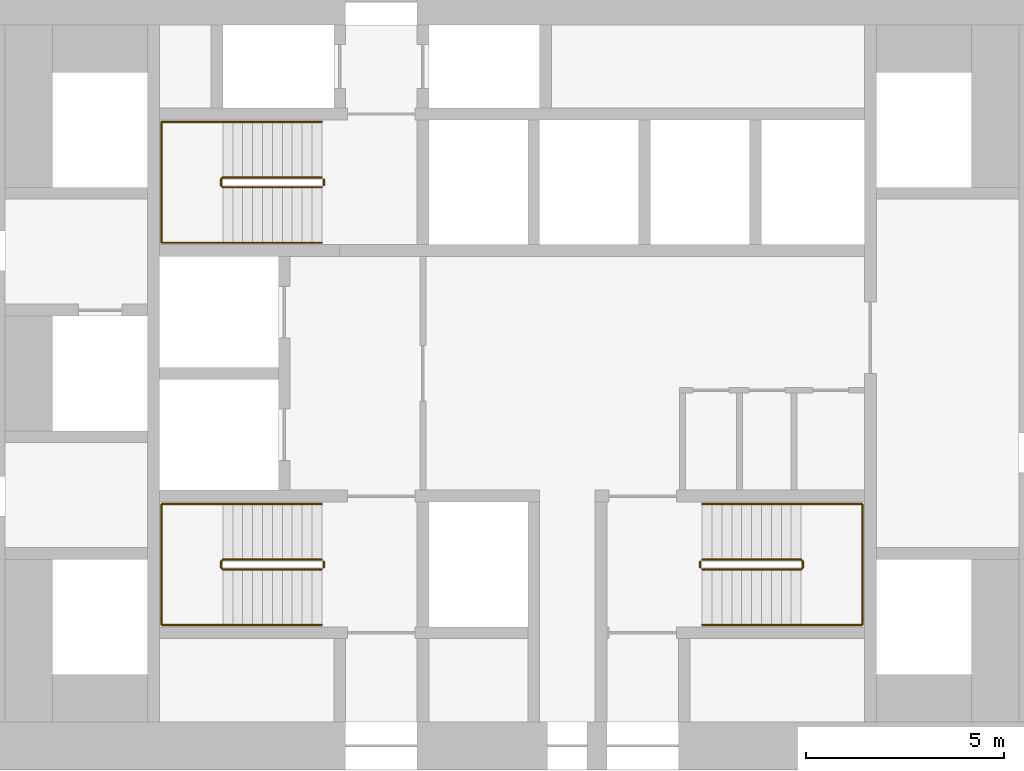
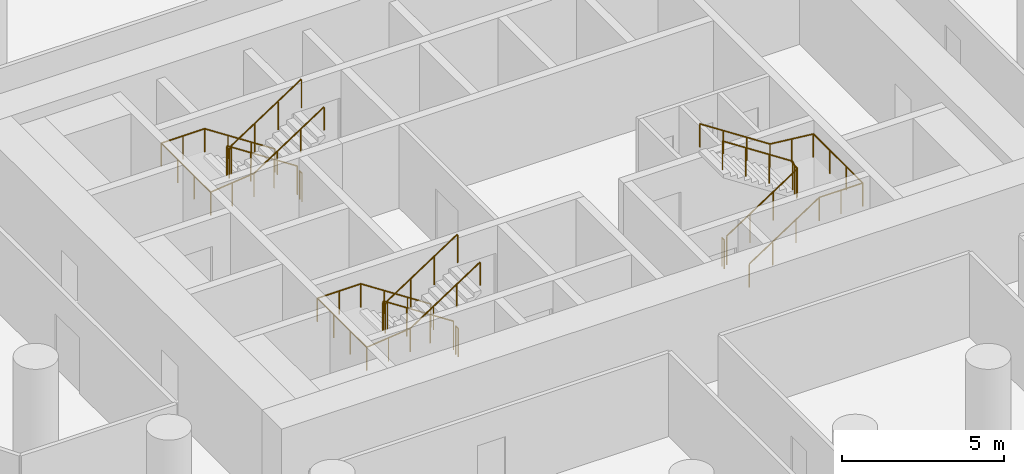
# One storey, part 12 of 12: 9 railings.
"""IFC4 building model written with IfcOpenShell, lengths in metres."""

from ifc_helpers import new_model, si_unit, direction, frame, origin, origin_2d, place, context, subcontext, project, spatial, circle, extrude, material, type_object, element, save


model = new_model("IFC4")

# Units and contexts
model_context = context("Model", 3, precision=1e-05, world=origin(), true_north=direction((0.0, 1.0)))
body_context = subcontext(model_context, "Body", "Model", "MODEL_VIEW")
ifc_project = project(units=[si_unit("LENGTHUNIT", "METRE"), si_unit("AREAUNIT", "SQUARE_METRE"), si_unit("VOLUMEUNIT", "CUBIC_METRE"), si_unit("PLANEANGLEUNIT", "RADIAN"), si_unit("MASSUNIT", "GRAM", prefix="KILO")], contexts=[model_context])

# Site, building, storey
site_placement = place(None, origin())
site = spatial("IfcSite", under=ifc_project, at=site_placement, CompositionType="ELEMENT")
building_placement = place(site_placement, origin())
building = spatial("IfcBuilding", under=site, at=building_placement, Name="Tracery Tower", CompositionType="ELEMENT")
storey_placement = place(building_placement, frame((0.0, 0.0, 75.0)))
storey = spatial("IfcBuildingStorey", under=building, at=storey_placement, Name="L18", CompositionType="ELEMENT", Elevation=75.0)

# Railings
ifc_material_1 = material(Name="Stainless steel and laminated glass", Category="steel")
railing_type_1 = type_object("IfcRailingType", Name="Stair guard 1100", PredefinedType="GUARDRAIL", material=ifc_material_1)
railing_1_placement = place(storey_placement, frame((-4.800048828125, -4.699951171875, 0.16357421875)))
element("IfcRailing", 1, at=railing_1_placement, inside=storey, type_object=railing_type_1, Name="L18 stair ST1 guard 1", PredefinedType="GUARDRAIL", context=body_context, shape_type="SweptSolid", body=[
    extrude(circle(Radius=0.02392578125, at=origin_2d()), frame((0.0, 0.0, 1.076171875), z_axis=(-0.83668449804, 0.0, 0.54768517484), x_axis=(0.0, -1.0, 0.0)), (0.0, 0.0, 1.0), 2.988037109375),
    extrude(circle(Radius=0.02392578125, at=origin_2d()), frame((-2.5, 0.0, 2.71240234375), z_axis=(-0.707106781187, -0.707106781187, 0.0), x_axis=(0.707106781187, -0.707106781187, 0.0)), (0.0, 0.0, 1.0), 0.07080078125),
    extrude(circle(Radius=0.02392578125, at=origin_2d()), frame((-2.550048828125, -0.050048828125, 2.71240234375), z_axis=(0.0, -1.0, 0.0), x_axis=(1.0, 0.0, 0.0)), (0.0, 0.0, 1.0), 0.14990234375),
    extrude(circle(Radius=0.02392578125, at=origin_2d()), frame((-2.550048828125, -0.199951171875, 2.71240234375), z_axis=(0.280808744504, -0.280808744504, 0.917765164963), x_axis=(0.707106781187, 0.707106781187, 0.0)), (0.0, 0.0, 1.0), 0.17822265625),
    extrude(circle(Radius=0.02392578125, at=origin_2d()), frame((-2.5, -0.25, 2.8759765625), z_axis=(0.83668449804, 0.0, 0.54768517484), x_axis=(0.0, 1.0, 0.0)), (0.0, 0.0, 1.0), 2.988037109375),
    extrude(circle(Radius=0.02099609375, at=origin_2d()), origin(), (0.0, 0.0, 1.0), 1.052001953125),
    extrude(circle(Radius=0.02099609375, at=origin_2d()), frame((-0.833251953125, 0.0, 0.54541015625)), (0.0, 0.0, 1.0), 1.052001953125),
    extrude(circle(Radius=0.02099609375, at=origin_2d()), frame((-1.666748046875, 0.0, 1.091064453125)), (0.0, 0.0, 1.0), 1.052001953125),
    extrude(circle(Radius=0.02099609375, at=origin_2d()), frame((-2.5, 0.0, 1.636474609375)), (0.0, 0.0, 1.0), 1.052001953125),
    extrude(circle(Radius=0.02099609375, at=origin_2d()), frame((-2.550048828125, -0.050048828125, 1.636474609375)), (0.0, 0.0, 1.0), 1.052001953125),
    extrude(circle(Radius=0.02099609375, at=origin_2d()), frame((-2.550048828125, -0.199951171875, 1.636474609375)), (0.0, 0.0, 1.0), 1.052001953125),
    extrude(circle(Radius=0.02099609375, at=origin_2d()), frame((-2.5, -0.25, 1.800048828125)), (0.0, 0.0, 1.0), 1.052001953125),
    extrude(circle(Radius=0.02099609375, at=origin_2d()), frame((-1.666748046875, -0.25, 2.345458984375)), (0.0, 0.0, 1.0), 1.052001953125),
    extrude(circle(Radius=0.02099609375, at=origin_2d()), frame((-0.833251953125, -0.25, 2.89111328125)), (0.0, 0.0, 1.0), 1.052001953125),
    extrude(circle(Radius=0.02099609375, at=origin_2d()), frame((0.0, -0.25, 3.4365234375)), (0.0, 0.0, 1.0), 1.052001953125),
])
railing_2_placement = place(storey_placement, frame((-4.75, -4.75, 0.0)))
element("IfcRailing", 2, at=railing_2_placement, inside=storey, type_object=railing_type_1, Name="L18 stair ST1 guard 2", PredefinedType="GUARDRAIL", context=body_context, shape_type="SweptSolid", body=[
    extrude(circle(Radius=0.02392578125, at=origin_2d()), frame((0.0, 0.0, 1.076171875), z_axis=(0.0, -1.0, 0.0), x_axis=(1.0, 0.0, 0.0)), (0.0, 0.0, 1.0), 0.14990234375),
    extrude(circle(Radius=0.02099609375, at=origin_2d()), origin(), (0.0, 0.0, 1.0), 1.052001953125),
    extrude(circle(Radius=0.02099609375, at=origin_2d()), frame((0.0, -0.14990234375, 0.0)), (0.0, 0.0, 1.0), 1.052001953125),
])
railing_3_placement = place(storey_placement, frame((-4.800048828125, 4.949951171875, 0.16357421875)))
element("IfcRailing", 3, at=railing_3_placement, inside=storey, type_object=railing_type_1, Name="L18 stair ST3 guard 1", PredefinedType="GUARDRAIL", context=body_context, shape_type="SweptSolid", body=[
    extrude(circle(Radius=0.02392578125, at=origin_2d()), frame((0.0, 0.0, 1.076171875), z_axis=(-0.83668449804, 0.0, 0.54768517484), x_axis=(0.0, -1.0, 0.0)), (0.0, 0.0, 1.0), 2.988037109375),
    extrude(circle(Radius=0.02392578125, at=origin_2d()), frame((-2.5, 0.0, 2.71240234375), z_axis=(-0.707106781187, -0.707106781187, 0.0), x_axis=(0.707106781187, -0.707106781187, 0.0)), (0.0, 0.0, 1.0), 0.07080078125),
    extrude(circle(Radius=0.02392578125, at=origin_2d()), frame((-2.550048828125, -0.050048828125, 2.71240234375), z_axis=(0.0, -1.0, 0.0), x_axis=(1.0, 0.0, 0.0)), (0.0, 0.0, 1.0), 0.14990234375),
    extrude(circle(Radius=0.02392578125, at=origin_2d()), frame((-2.550048828125, -0.199951171875, 2.71240234375), z_axis=(0.280808744504, -0.280808744504, 0.917765164963), x_axis=(0.707106781187, 0.707106781187, 0.0)), (0.0, 0.0, 1.0), 0.17822265625),
    extrude(circle(Radius=0.02392578125, at=origin_2d()), frame((-2.5, -0.25, 2.8759765625), z_axis=(0.83668449804, 0.0, 0.54768517484), x_axis=(0.0, 1.0, 0.0)), (0.0, 0.0, 1.0), 2.988037109375),
    extrude(circle(Radius=0.02099609375, at=origin_2d()), origin(), (0.0, 0.0, 1.0), 1.052001953125),
    extrude(circle(Radius=0.02099609375, at=origin_2d()), frame((-0.833251953125, 0.0, 0.54541015625)), (0.0, 0.0, 1.0), 1.052001953125),
    extrude(circle(Radius=0.02099609375, at=origin_2d()), frame((-1.666748046875, 0.0, 1.091064453125)), (0.0, 0.0, 1.0), 1.052001953125),
    extrude(circle(Radius=0.02099609375, at=origin_2d()), frame((-2.5, 0.0, 1.636474609375)), (0.0, 0.0, 1.0), 1.052001953125),
    extrude(circle(Radius=0.02099609375, at=origin_2d()), frame((-2.550048828125, -0.050048828125, 1.636474609375)), (0.0, 0.0, 1.0), 1.052001953125),
    extrude(circle(Radius=0.02099609375, at=origin_2d()), frame((-2.550048828125, -0.199951171875, 1.636474609375)), (0.0, 0.0, 1.0), 1.052001953125),
    extrude(circle(Radius=0.02099609375, at=origin_2d()), frame((-2.5, -0.25, 1.800048828125)), (0.0, 0.0, 1.0), 1.052001953125),
    extrude(circle(Radius=0.02099609375, at=origin_2d()), frame((-1.666748046875, -0.25, 2.345458984375)), (0.0, 0.0, 1.0), 1.052001953125),
    extrude(circle(Radius=0.02099609375, at=origin_2d()), frame((-0.833251953125, -0.25, 2.89111328125)), (0.0, 0.0, 1.0), 1.052001953125),
    extrude(circle(Radius=0.02099609375, at=origin_2d()), frame((0.0, -0.25, 3.4365234375)), (0.0, 0.0, 1.0), 1.052001953125),
])
railing_4_placement = place(storey_placement, frame((-4.75, 4.89990234375, 0.0)))
element("IfcRailing", 4, at=railing_4_placement, inside=storey, type_object=railing_type_1, Name="L18 stair ST3 guard 2", PredefinedType="GUARDRAIL", context=body_context, shape_type="SweptSolid", body=[
    extrude(circle(Radius=0.02392578125, at=origin_2d()), frame((0.0, 0.0, 1.076171875), z_axis=(0.0, -1.0, 0.0), x_axis=(1.0, 0.0, 0.0)), (0.0, 0.0, 1.0), 0.14990234375),
    extrude(circle(Radius=0.02099609375, at=origin_2d()), origin(), (0.0, 0.0, 1.0), 1.052001953125),
    extrude(circle(Radius=0.02099609375, at=origin_2d()), frame((0.0, -0.14990234375, 0.0)), (0.0, 0.0, 1.0), 1.052001953125),
])
railing_5_placement = place(storey_placement, frame((4.800048828125, -4.949951171875, 0.16357421875)))
element("IfcRailing", 5, at=railing_5_placement, inside=storey, type_object=railing_type_1, Name="L18 stair ST2 guard 1", PredefinedType="GUARDRAIL", context=body_context, shape_type="SweptSolid", body=[
    extrude(circle(Radius=0.02392578125, at=origin_2d()), frame((0.0, 0.0, 1.076171875), z_axis=(0.83668449804, 0.0, 0.54768517484), x_axis=(0.0, 1.0, 0.0)), (0.0, 0.0, 1.0), 2.988037109375),
    extrude(circle(Radius=0.02392578125, at=origin_2d()), frame((2.5, 0.0, 2.71240234375), z_axis=(0.707106781187, 0.707106781187, 0.0), x_axis=(-0.707106781187, 0.707106781187, 0.0)), (0.0, 0.0, 1.0), 0.07080078125),
    extrude(circle(Radius=0.02392578125, at=origin_2d()), frame((2.550048828125, 0.050048828125, 2.71240234375), z_axis=(0.0, 1.0, 0.0), x_axis=(-1.0, 0.0, 0.0)), (0.0, 0.0, 1.0), 0.14990234375),
    extrude(circle(Radius=0.02392578125, at=origin_2d()), frame((2.550048828125, 0.199951171875, 2.71240234375), z_axis=(-0.280808744504, 0.280808744504, 0.917765164963), x_axis=(-0.707106781187, -0.707106781187, 0.0)), (0.0, 0.0, 1.0), 0.17822265625),
    extrude(circle(Radius=0.02392578125, at=origin_2d()), frame((2.5, 0.25, 2.8759765625), z_axis=(-0.83668449804, 0.0, 0.54768517484), x_axis=(0.0, -1.0, 0.0)), (0.0, 0.0, 1.0), 2.988037109375),
    extrude(circle(Radius=0.02099609375, at=origin_2d()), origin(), (0.0, 0.0, 1.0), 1.052001953125),
    extrude(circle(Radius=0.02099609375, at=origin_2d()), frame((0.833251953125, 0.0, 0.54541015625)), (0.0, 0.0, 1.0), 1.052001953125),
    extrude(circle(Radius=0.02099609375, at=origin_2d()), frame((1.666748046875, 0.0, 1.091064453125)), (0.0, 0.0, 1.0), 1.052001953125),
    extrude(circle(Radius=0.02099609375, at=origin_2d()), frame((2.5, 0.0, 1.636474609375)), (0.0, 0.0, 1.0), 1.052001953125),
    extrude(circle(Radius=0.02099609375, at=origin_2d()), frame((2.550048828125, 0.050048828125, 1.636474609375)), (0.0, 0.0, 1.0), 1.052001953125),
    extrude(circle(Radius=0.02099609375, at=origin_2d()), frame((2.550048828125, 0.199951171875, 1.636474609375)), (0.0, 0.0, 1.0), 1.052001953125),
    extrude(circle(Radius=0.02099609375, at=origin_2d()), frame((2.5, 0.25, 1.800048828125)), (0.0, 0.0, 1.0), 1.052001953125),
    extrude(circle(Radius=0.02099609375, at=origin_2d()), frame((1.666748046875, 0.25, 2.345458984375)), (0.0, 0.0, 1.0), 1.052001953125),
    extrude(circle(Radius=0.02099609375, at=origin_2d()), frame((0.833251953125, 0.25, 2.89111328125)), (0.0, 0.0, 1.0), 1.052001953125),
    extrude(circle(Radius=0.02099609375, at=origin_2d()), frame((0.0, 0.25, 3.4365234375)), (0.0, 0.0, 1.0), 1.052001953125),
])
railing_6_placement = place(storey_placement, frame((4.75, -4.89990234375, 0.0)))
element("IfcRailing", 6, at=railing_6_placement, inside=storey, type_object=railing_type_1, Name="L18 stair ST2 guard 2", PredefinedType="GUARDRAIL", context=body_context, shape_type="SweptSolid", body=[
    extrude(circle(Radius=0.02392578125, at=origin_2d()), frame((0.0, 0.0, 1.076171875), z_axis=(0.0, 1.0, 0.0), x_axis=(-1.0, 0.0, 0.0)), (0.0, 0.0, 1.0), 0.14990234375),
    extrude(circle(Radius=0.02099609375, at=origin_2d()), origin(), (0.0, 0.0, 1.0), 1.052001953125),
    extrude(circle(Radius=0.02099609375, at=origin_2d()), frame((0.0, 0.14990234375, 0.0)), (0.0, 0.0, 1.0), 1.052001953125),
])
ifc_material_2 = material(Name="Stainless steel and laminated glass", Category="steel")
railing_type_2 = type_object("IfcRailingType", Name="Stair handrail 900", PredefinedType="HANDRAIL", material=ifc_material_2)
railing_7_placement = place(storey_placement, frame((-4.800048828125, -3.300048828125, 0.16357421875)))
element("IfcRailing", 7, at=railing_7_placement, inside=storey, type_object=railing_type_2, Name="L18 stair ST1 handrail 1", PredefinedType="HANDRAIL", context=body_context, shape_type="SweptSolid", body=[
    extrude(circle(Radius=0.02392578125, at=origin_2d()), frame((0.0, 0.0, 0.8759765625), z_axis=(-0.83668449804, 0.0, 0.54768517484), x_axis=(0.0, -1.0, 0.0)), (0.0, 0.0, 1.0), 2.988037109375),
    extrude(circle(Radius=0.02392578125, at=origin_2d()), frame((-2.5, 0.0, 2.51220703125), z_axis=(-1.0, 0.0, 0.0), x_axis=(0.0, -1.0, 0.0)), (0.0, 0.0, 1.0), 1.550048828125),
    extrude(circle(Radius=0.02392578125, at=origin_2d()), frame((-4.050048828125, 0.0, 2.51220703125), z_axis=(0.0, -1.0, 0.0), x_axis=(1.0, 0.0, 0.0)), (0.0, 0.0, 1.0), 3.050048828125),
    extrude(circle(Radius=0.02392578125, at=origin_2d()), frame((-4.050048828125, -3.050048828125, 2.51220703125), z_axis=(0.994477953863, 0.0, 0.104945696817), x_axis=(0.0, 1.0, 0.0)), (0.0, 0.0, 1.0), 1.55859375),
    extrude(circle(Radius=0.02392578125, at=origin_2d()), frame((-2.5, -3.050048828125, 2.67578125), z_axis=(0.83668449804, 0.0, 0.54768517484), x_axis=(0.0, 1.0, 0.0)), (0.0, 0.0, 1.0), 2.988037109375),
    extrude(circle(Radius=0.02099609375, at=origin_2d()), origin(), (0.0, 0.0, 1.0), 0.851806640625),
    extrude(circle(Radius=0.02099609375, at=origin_2d()), frame((-0.833251953125, 0.0, 0.54541015625)), (0.0, 0.0, 1.0), 0.851806640625),
    extrude(circle(Radius=0.02099609375, at=origin_2d()), frame((-1.666748046875, 0.0, 1.091064453125)), (0.0, 0.0, 1.0), 0.851806640625),
    extrude(circle(Radius=0.02099609375, at=origin_2d()), frame((-2.5, 0.0, 1.636474609375)), (0.0, 0.0, 1.0), 0.851806640625),
    extrude(circle(Radius=0.02099609375, at=origin_2d()), frame((-3.27490234375, 0.0, 1.636474609375)), (0.0, 0.0, 1.0), 0.851806640625),
    extrude(circle(Radius=0.02099609375, at=origin_2d()), frame((-4.050048828125, 0.0, 1.636474609375)), (0.0, 0.0, 1.0), 0.851806640625),
    extrude(circle(Radius=0.02099609375, at=origin_2d()), frame((-4.050048828125, -1.0166015625, 1.636474609375)), (0.0, 0.0, 1.0), 0.851806640625),
    extrude(circle(Radius=0.02099609375, at=origin_2d()), frame((-4.050048828125, -2.033447265625, 1.636474609375)), (0.0, 0.0, 1.0), 0.851806640625),
    extrude(circle(Radius=0.02099609375, at=origin_2d()), frame((-4.050048828125, -3.050048828125, 1.636474609375)), (0.0, 0.0, 1.0), 0.851806640625),
    extrude(circle(Radius=0.02099609375, at=origin_2d()), frame((-3.27490234375, -3.050048828125, 1.71826171875)), (0.0, 0.0, 1.0), 0.851806640625),
    extrude(circle(Radius=0.02099609375, at=origin_2d()), frame((-2.5, -3.050048828125, 1.800048828125)), (0.0, 0.0, 1.0), 0.851806640625),
    extrude(circle(Radius=0.02099609375, at=origin_2d()), frame((-1.666748046875, -3.050048828125, 2.345458984375)), (0.0, 0.0, 1.0), 0.851806640625),
    extrude(circle(Radius=0.02099609375, at=origin_2d()), frame((-0.833251953125, -3.050048828125, 2.89111328125)), (0.0, 0.0, 1.0), 0.851806640625),
    extrude(circle(Radius=0.02099609375, at=origin_2d()), frame((0.0, -3.050048828125, 3.4365234375)), (0.0, 0.0, 1.0), 0.851806640625),
])
railing_8_placement = place(storey_placement, frame((-4.800048828125, 6.35009765625, 0.16357421875)))
element("IfcRailing", 8, at=railing_8_placement, inside=storey, type_object=railing_type_2, Name="L18 stair ST3 handrail 1", PredefinedType="HANDRAIL", context=body_context, shape_type="SweptSolid", body=[
    extrude(circle(Radius=0.02392578125, at=origin_2d()), frame((0.0, 0.0, 0.8759765625), z_axis=(-0.83668449804, 0.0, 0.54768517484), x_axis=(0.0, -1.0, 0.0)), (0.0, 0.0, 1.0), 2.988037109375),
    extrude(circle(Radius=0.02392578125, at=origin_2d()), frame((-2.5, 0.0, 2.51220703125), z_axis=(-1.0, 0.0, 0.0), x_axis=(0.0, -1.0, 0.0)), (0.0, 0.0, 1.0), 1.550048828125),
    extrude(circle(Radius=0.02392578125, at=origin_2d()), frame((-4.050048828125, 0.0, 2.51220703125), z_axis=(0.0, -1.0, 0.0), x_axis=(1.0, 0.0, 0.0)), (0.0, 0.0, 1.0), 3.050048828125),
    extrude(circle(Radius=0.02392578125, at=origin_2d()), frame((-4.050048828125, -3.050048828125, 2.51220703125), z_axis=(0.994477953863, 0.0, 0.104945696817), x_axis=(0.0, 1.0, 0.0)), (0.0, 0.0, 1.0), 1.55859375),
    extrude(circle(Radius=0.02392578125, at=origin_2d()), frame((-2.5, -3.050048828125, 2.67578125), z_axis=(0.83668449804, 0.0, 0.54768517484), x_axis=(0.0, 1.0, 0.0)), (0.0, 0.0, 1.0), 2.988037109375),
    extrude(circle(Radius=0.02099609375, at=origin_2d()), origin(), (0.0, 0.0, 1.0), 0.851806640625),
    extrude(circle(Radius=0.02099609375, at=origin_2d()), frame((-0.833251953125, 0.0, 0.54541015625)), (0.0, 0.0, 1.0), 0.851806640625),
    extrude(circle(Radius=0.02099609375, at=origin_2d()), frame((-1.666748046875, 0.0, 1.091064453125)), (0.0, 0.0, 1.0), 0.851806640625),
    extrude(circle(Radius=0.02099609375, at=origin_2d()), frame((-2.5, 0.0, 1.636474609375)), (0.0, 0.0, 1.0), 0.851806640625),
    extrude(circle(Radius=0.02099609375, at=origin_2d()), frame((-3.27490234375, 0.0, 1.636474609375)), (0.0, 0.0, 1.0), 0.851806640625),
    extrude(circle(Radius=0.02099609375, at=origin_2d()), frame((-4.050048828125, 0.0, 1.636474609375)), (0.0, 0.0, 1.0), 0.851806640625),
    extrude(circle(Radius=0.02099609375, at=origin_2d()), frame((-4.050048828125, -1.0166015625, 1.636474609375)), (0.0, 0.0, 1.0), 0.851806640625),
    extrude(circle(Radius=0.02099609375, at=origin_2d()), frame((-4.050048828125, -2.033447265625, 1.636474609375)), (0.0, 0.0, 1.0), 0.851806640625),
    extrude(circle(Radius=0.02099609375, at=origin_2d()), frame((-4.050048828125, -3.050048828125, 1.636474609375)), (0.0, 0.0, 1.0), 0.851806640625),
    extrude(circle(Radius=0.02099609375, at=origin_2d()), frame((-3.27490234375, -3.050048828125, 1.71826171875)), (0.0, 0.0, 1.0), 0.851806640625),
    extrude(circle(Radius=0.02099609375, at=origin_2d()), frame((-2.5, -3.050048828125, 1.800048828125)), (0.0, 0.0, 1.0), 0.851806640625),
    extrude(circle(Radius=0.02099609375, at=origin_2d()), frame((-1.666748046875, -3.050048828125, 2.345458984375)), (0.0, 0.0, 1.0), 0.851806640625),
    extrude(circle(Radius=0.02099609375, at=origin_2d()), frame((-0.833251953125, -3.050048828125, 2.89111328125)), (0.0, 0.0, 1.0), 0.851806640625),
    extrude(circle(Radius=0.02099609375, at=origin_2d()), frame((0.0, -3.050048828125, 3.4365234375)), (0.0, 0.0, 1.0), 0.851806640625),
])
railing_9_placement = place(storey_placement, frame((4.800048828125, -6.35009765625, 0.16357421875)))
element("IfcRailing", 9, at=railing_9_placement, inside=storey, type_object=railing_type_2, Name="L18 stair ST2 handrail 1", PredefinedType="HANDRAIL", context=body_context, shape_type="SweptSolid", body=[
    extrude(circle(Radius=0.02392578125, at=origin_2d()), frame((0.0, 0.0, 0.8759765625), z_axis=(0.83668449804, 0.0, 0.54768517484), x_axis=(0.0, 1.0, 0.0)), (0.0, 0.0, 1.0), 2.988037109375),
    extrude(circle(Radius=0.02392578125, at=origin_2d()), frame((2.5, 0.0, 2.51220703125), z_axis=(1.0, 0.0, 0.0), x_axis=(0.0, 1.0, 0.0)), (0.0, 0.0, 1.0), 1.550048828125),
    extrude(circle(Radius=0.02392578125, at=origin_2d()), frame((4.050048828125, 0.0, 2.51220703125), z_axis=(0.0, 1.0, 0.0), x_axis=(-1.0, 0.0, 0.0)), (0.0, 0.0, 1.0), 3.050048828125),
    extrude(circle(Radius=0.02392578125, at=origin_2d()), frame((4.050048828125, 3.050048828125, 2.51220703125), z_axis=(-0.994477953863, 0.0, 0.104945696817), x_axis=(0.0, -1.0, 0.0)), (0.0, 0.0, 1.0), 1.55859375),
    extrude(circle(Radius=0.02392578125, at=origin_2d()), frame((2.5, 3.050048828125, 2.67578125), z_axis=(-0.83668449804, 0.0, 0.54768517484), x_axis=(0.0, -1.0, 0.0)), (0.0, 0.0, 1.0), 2.988037109375),
    extrude(circle(Radius=0.02099609375, at=origin_2d()), origin(), (0.0, 0.0, 1.0), 0.851806640625),
    extrude(circle(Radius=0.02099609375, at=origin_2d()), frame((0.833251953125, 0.0, 0.54541015625)), (0.0, 0.0, 1.0), 0.851806640625),
    extrude(circle(Radius=0.02099609375, at=origin_2d()), frame((1.666748046875, 0.0, 1.091064453125)), (0.0, 0.0, 1.0), 0.851806640625),
    extrude(circle(Radius=0.02099609375, at=origin_2d()), frame((2.5, 0.0, 1.636474609375)), (0.0, 0.0, 1.0), 0.851806640625),
    extrude(circle(Radius=0.02099609375, at=origin_2d()), frame((3.27490234375, 0.0, 1.636474609375)), (0.0, 0.0, 1.0), 0.851806640625),
    extrude(circle(Radius=0.02099609375, at=origin_2d()), frame((4.050048828125, 0.0, 1.636474609375)), (0.0, 0.0, 1.0), 0.851806640625),
    extrude(circle(Radius=0.02099609375, at=origin_2d()), frame((4.050048828125, 1.0166015625, 1.636474609375)), (0.0, 0.0, 1.0), 0.851806640625),
    extrude(circle(Radius=0.02099609375, at=origin_2d()), frame((4.050048828125, 2.033447265625, 1.636474609375)), (0.0, 0.0, 1.0), 0.851806640625),
    extrude(circle(Radius=0.02099609375, at=origin_2d()), frame((4.050048828125, 3.050048828125, 1.636474609375)), (0.0, 0.0, 1.0), 0.851806640625),
    extrude(circle(Radius=0.02099609375, at=origin_2d()), frame((3.27490234375, 3.050048828125, 1.71826171875)), (0.0, 0.0, 1.0), 0.851806640625),
    extrude(circle(Radius=0.02099609375, at=origin_2d()), frame((2.5, 3.050048828125, 1.800048828125)), (0.0, 0.0, 1.0), 0.851806640625),
    extrude(circle(Radius=0.02099609375, at=origin_2d()), frame((1.666748046875, 3.050048828125, 2.345458984375)), (0.0, 0.0, 1.0), 0.851806640625),
    extrude(circle(Radius=0.02099609375, at=origin_2d()), frame((0.833251953125, 3.050048828125, 2.89111328125)), (0.0, 0.0, 1.0), 0.851806640625),
    extrude(circle(Radius=0.02099609375, at=origin_2d()), frame((0.0, 3.050048828125, 3.4365234375)), (0.0, 0.0, 1.0), 0.851806640625),
])

save(model, "model.ifc")
